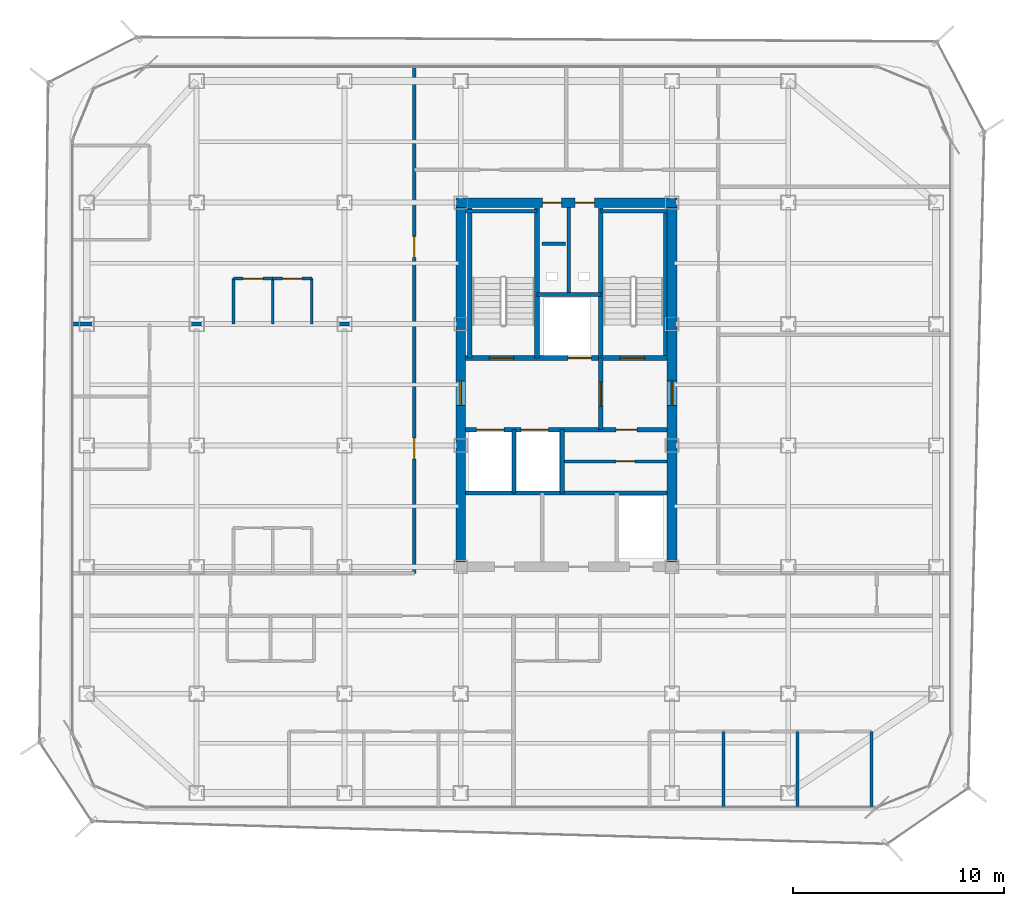
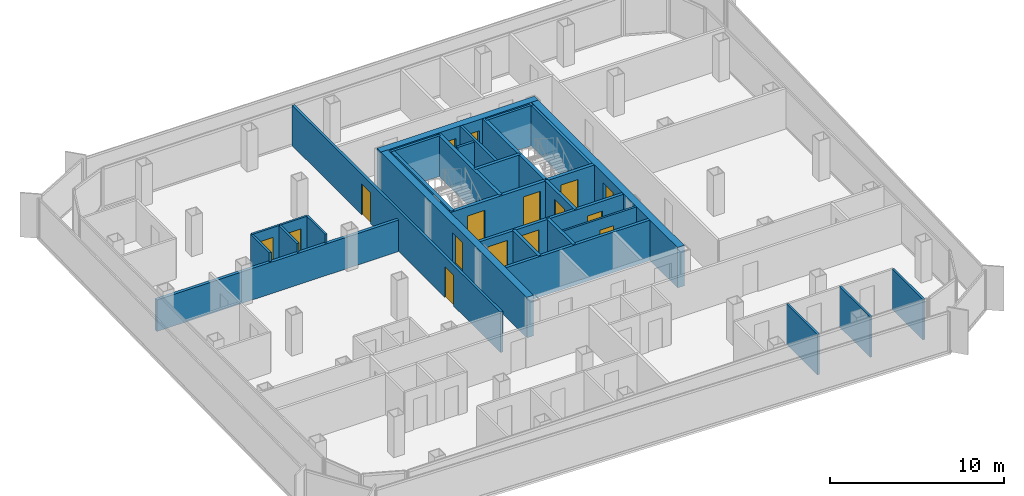
# One storey, part 11 of 15: 30 walls, 16 doors, 16 openings.
"""IFC4 building model written with IfcOpenShell, lengths in metres."""

from ifc_helpers import new_model, si_unit, direction, frame, frame_2d, origin, place, context, subcontext, project, spatial, rectangle, extrude, material, layer, layer_set, type_object, element, fill, save


model = new_model("IFC4")

# Units and contexts
model_context = context("Model", 3, precision=1e-05, world=origin(), true_north=direction((0.0, 1.0)))
body_context = subcontext(model_context, "Body", "Model", "MODEL_VIEW")
ifc_project = project(units=[si_unit("LENGTHUNIT", "METRE"), si_unit("AREAUNIT", "SQUARE_METRE"), si_unit("VOLUMEUNIT", "CUBIC_METRE"), si_unit("PLANEANGLEUNIT", "RADIAN"), si_unit("MASSUNIT", "GRAM", prefix="KILO")], contexts=[model_context])

# Site, building, storey
site_placement = place(None, origin())
site = spatial("IfcSite", under=ifc_project, at=site_placement, CompositionType="ELEMENT")
building_placement = place(site_placement, origin())
building = spatial("IfcBuilding", under=site, at=building_placement, Name="Kolveth Station Tower", CompositionType="ELEMENT")
storey_placement = place(building_placement, frame((0.0, 0.0, 184.89990234375)))
storey = spatial("IfcBuildingStorey", under=building, at=storey_placement, Name="L52", CompositionType="ELEMENT", Elevation=184.89990234375)

# Wall, openings, doors
ifc_material_1 = material(Name="Concrete C50/60", Category="concrete")
ifc_layer_1 = layer(ifc_material_1, 0.449951171875)
ifc_layer_set_1 = layer_set([ifc_layer_1], Name="Concrete C50/60")
wall_type_1 = type_object("IfcWallType", Name="Wall_CW-450", PredefinedType="SHEAR", material=ifc_layer_set_1)
wall_1_placement = place(storey_placement, frame((18.27490234375, 28.75, 0.0), z_axis=(0.0, 0.0, 1.0), x_axis=(1.0, 0.0, 0.0)))
wall_1 = element("IfcWall", 1, at=wall_1_placement, inside=storey, type_object=wall_type_1, Name="L52 Core RC Shear Wall N", PredefinedType="SHEAR", context=body_context, shape_type="SweptSolid", body=[
    extrude(rectangle(XDim=10.4501953125, YDim=0.449951171875, at=frame_2d((5.22509765625, 0.0))), origin(), (0.0, 0.0, 1.0), 2.840087890625),
])
opening_1_placement = place(wall_1_placement, frame((4.10498046875, 0.0, 0.0)))
opening_1 = element("IfcOpeningElement", 2, at=opening_1_placement, cuts=wall_1, Name="Opening RD1", PredefinedType="OPENING", context=body_context, shape_type="SweptSolid", body=[
    extrude(rectangle(XDim=0.89990234375, YDim=2.050048828125, at=frame_2d((0.449951171875, 1.02490234375))), frame((0.0, 0.23486328125, 0.0), z_axis=(0.0, -1.0, 0.0), x_axis=(1.0, 0.0, 0.0)), (0.0, 0.0, 1.0), 0.469970703125),
])
opening_2_placement = place(wall_1_placement, frame((5.64501953125, 0.0, 0.0)))
opening_2 = element("IfcOpeningElement", 3, at=opening_2_placement, cuts=wall_1, Name="Opening RD1", PredefinedType="OPENING", context=body_context, shape_type="SweptSolid", body=[
    extrude(rectangle(XDim=0.89990234375, YDim=2.050048828125, at=frame_2d((0.449951171875, 1.02490234375))), frame((0.0, 0.23486328125, 0.0), z_axis=(0.0, -1.0, 0.0), x_axis=(1.0, 0.0, 0.0)), (0.0, 0.0, 1.0), 0.469970703125),
])
ifc_material_2 = material(Name="Fire-rated Steel S355 riser access leaf", Category="steel")
door_type_1 = type_object("IfcDoorType", Name="Door_RD1", OperationType="NOTDEFINED", PredefinedType="DOOR", material=ifc_material_2)
door_1_placement = place(opening_1_placement, origin())
door_1 = element("IfcDoor", 4, at=door_1_placement, inside=storey, type_object=door_type_1, Name="L52 Electrical Riser Access Door", OperationType="SINGLE_SWING_RIGHT", OverallHeight=2.050048828125, OverallWidth=0.89990234375, PredefinedType="DOOR", context=body_context, shape_type="SweptSolid", body=[
    extrude(rectangle(XDim=0.89990234375, YDim=2.050048828125, at=frame_2d((0.449951171875, 1.02490234375))), frame((0.0, 0.02490234375, 0.0), z_axis=(0.0, -1.0, 0.0), x_axis=(1.0, 0.0, 0.0)), (0.0, 0.0, 1.0), 0.050048828125),
])
fill(opening_1, door_1)
door_2_placement = place(opening_2_placement, origin())
door_2 = element("IfcDoor", 5, at=door_2_placement, inside=storey, type_object=door_type_1, Name="L52 Smoke Duct Access Door", OperationType="SINGLE_SWING_LEFT", OverallHeight=2.050048828125, OverallWidth=0.89990234375, PredefinedType="DOOR", context=body_context, shape_type="SweptSolid", body=[
    extrude(rectangle(XDim=0.89990234375, YDim=2.050048828125, at=frame_2d((0.449951171875, 1.02490234375))), frame((0.0, 0.02490234375, 0.0), z_axis=(0.0, -1.0, 0.0), x_axis=(1.0, 0.0, 0.0)), (0.0, 0.0, 1.0), 0.050048828125),
])
fill(opening_2, door_2)

# Wall, opening, door
wall_2_placement = place(storey_placement, frame((18.5, 11.72509765625, 0.0), z_axis=(0.0, 0.0, 1.0), x_axis=(0.0, 1.0, 0.0)))
wall_2 = element("IfcWall", 6, at=wall_2_placement, inside=storey, type_object=wall_type_1, Name="L52 Core RC Shear Wall W", PredefinedType="SHEAR", context=body_context, shape_type="SweptSolid", body=[
    extrude(rectangle(XDim=16.7998046875, YDim=0.449951171875, at=frame_2d((8.39990234375, 0.0))), origin(), (0.0, 0.0, 1.0), 2.840087890625),
])
opening_3_placement = place(wall_2_placement, frame((7.425048828125, 0.0, 0.0)))
opening_3 = element("IfcOpeningElement", 7, at=opening_3_placement, cuts=wall_2, Name="Opening FD1", PredefinedType="OPENING", context=body_context, shape_type="SweptSolid", body=[
    extrude(rectangle(XDim=1.14990234375, YDim=2.199951171875, at=frame_2d((0.574951171875, 1.10009765625))), frame((0.0, 0.23486328125, 0.0), z_axis=(0.0, -1.0, 0.0), x_axis=(1.0, 0.0, 0.0)), (0.0, 0.0, 1.0), 0.469970703125),
])
ifc_material_3 = material(Name="Fire-rated Steel S355 leaf and frame", Category="steel")
door_type_2 = type_object("IfcDoorType", Name="Door_FD1", OperationType="NOTDEFINED", PredefinedType="DOOR", material=ifc_material_3)
door_3_placement = place(opening_3_placement, frame((1.14990234375, 0.0, 0.0), z_axis=(0.0, 0.0, 1.0), x_axis=(-1.0, 0.0, 0.0)))
door_3 = element("IfcDoor", 8, at=door_3_placement, inside=storey, type_object=door_type_2, Name="L52 West Corridor to Firefighting Lobby Door", OperationType="SINGLE_SWING_RIGHT", OverallHeight=2.199951171875, OverallWidth=1.14990234375, PredefinedType="DOOR", context=body_context, shape_type="SweptSolid", body=[
    extrude(rectangle(XDim=1.14990234375, YDim=2.199951171875, at=frame_2d((0.574951171875, 1.10009765625))), frame((0.0, 0.02490234375, 0.0), z_axis=(0.0, -1.0, 0.0), x_axis=(1.0, 0.0, 0.0)), (0.0, 0.0, 1.0), 0.050048828125),
])
fill(opening_3, door_3)

wall_3_placement = place(storey_placement, frame((28.5, 11.72509765625, 0.0), z_axis=(0.0, 0.0, 1.0), x_axis=(0.0, 1.0, 0.0)))
wall_3 = element("IfcWall", 9, at=wall_3_placement, inside=storey, type_object=wall_type_1, Name="L52 Core RC Shear Wall E", PredefinedType="SHEAR", context=body_context, shape_type="SweptSolid", body=[
    extrude(rectangle(XDim=16.7998046875, YDim=0.449951171875, at=frame_2d((8.39990234375, 0.0))), origin(), (0.0, 0.0, 1.0), 2.840087890625),
])
opening_4_placement = place(wall_3_placement, frame((7.425048828125, 0.0, 0.0)))
opening_4 = element("IfcOpeningElement", 10, at=opening_4_placement, cuts=wall_3, Name="Opening FD1", PredefinedType="OPENING", context=body_context, shape_type="SweptSolid", body=[
    extrude(rectangle(XDim=1.14990234375, YDim=2.199951171875, at=frame_2d((0.574951171875, 1.10009765625))), frame((0.0, 0.23486328125, 0.0), z_axis=(0.0, -1.0, 0.0), x_axis=(1.0, 0.0, 0.0)), (0.0, 0.0, 1.0), 0.469970703125),
])
door_4_placement = place(opening_4_placement, origin())
door_4 = element("IfcDoor", 11, at=door_4_placement, inside=storey, type_object=door_type_2, Name="L52 East Corridor to Stair Lobby Door", OperationType="SINGLE_SWING_LEFT", OverallHeight=2.199951171875, OverallWidth=1.14990234375, PredefinedType="DOOR", context=body_context, shape_type="SweptSolid", body=[
    extrude(rectangle(XDim=1.14990234375, YDim=2.199951171875, at=frame_2d((0.574951171875, 1.10009765625))), frame((0.0, 0.02490234375, 0.0), z_axis=(0.0, -1.0, 0.0), x_axis=(1.0, 0.0, 0.0)), (0.0, 0.0, 1.0), 0.050048828125),
])
fill(opening_4, door_4)

ifc_material_4 = material(Name="Moisture-resistant gypsum partition")
ifc_layer_2 = layer(ifc_material_4, 0.135009765625)
ifc_layer_set_2 = layer_set([ifc_layer_2], Name="Moisture-resistant gypsum partition")
wall_type_2 = type_object("IfcWallType", Name="Wall_IW-135", PredefinedType="PARTITIONING", material=ifc_layer_set_2)
wall_4_placement = place(storey_placement, frame((23.300048828125, 16.5, 0.0), z_axis=(0.0, 0.0, 1.0), x_axis=(1.0, 0.0, 0.0)))
wall_4 = element("IfcWall", 12, at=wall_4_placement, inside=storey, type_object=wall_type_2, Name="L52 Partition Wall WL-L52-CB-H1", PredefinedType="PARTITIONING", context=body_context, shape_type="SweptSolid", body=[
    extrude(rectangle(XDim=4.96484375, YDim=0.135009765625, at=frame_2d((2.482421875, 0.0))), origin(), (0.0, 0.0, 1.0), 2.840087890625),
])
opening_5_placement = place(wall_4_placement, frame((2.550048828125, 0.0, 0.0)))
opening_5 = element("IfcOpeningElement", 13, at=opening_5_placement, cuts=wall_4, Name="Opening RD1", PredefinedType="OPENING", context=body_context, shape_type="SweptSolid", body=[
    extrude(rectangle(XDim=0.89990234375, YDim=2.050048828125, at=frame_2d((0.449951171875, 1.02490234375))), frame((0.0, 0.077392578125, 0.0), z_axis=(0.0, -1.0, 0.0), x_axis=(1.0, 0.0, 0.0)), (0.0, 0.0, 1.0), 0.155029296875),
])
door_5_placement = place(opening_5_placement, frame((0.89990234375, 0.0, 0.0), z_axis=(0.0, 0.0, 1.0), x_axis=(-1.0, 0.0, 0.0)))
door_5 = element("IfcDoor", 14, at=door_5_placement, inside=storey, type_object=door_type_1, Name="L52 Core Equipment Store Door", OperationType="SINGLE_SWING_LEFT", OverallHeight=2.050048828125, OverallWidth=0.89990234375, PredefinedType="DOOR", context=body_context, shape_type="SweptSolid", body=[
    extrude(rectangle(XDim=0.89990234375, YDim=2.050048828125, at=frame_2d((0.449951171875, 1.02490234375))), frame((0.0, 0.02490234375, 0.0), z_axis=(0.0, -1.0, 0.0), x_axis=(1.0, 0.0, 0.0)), (0.0, 0.0, 1.0), 0.050048828125),
])
fill(opening_5, door_5)

# Walls
for number, where, z_axis, x_axis, name in (
    (15, (37.949951171875, 0.159912109375, 0.0), (0.0, 0.0, 1.0), (0.0, 1.0, 0.0), "L52 Partition Wall WL-L52-A2-BDVE"),
    (16, (30.944091796875, 0.159912109375, 0.0), (0.0, 0.0, 1.0), (0.0, 1.0, 0.0), "L52 Partition Wall WL-L52-A2-BDV1"),
    (17, (34.447021484375, 0.159912109375, 0.0), (0.0, 0.0, 1.0), (0.0, 1.0, 0.0), "L52 Partition Wall WL-L52-A2-BDV2"),
):
    element("IfcWall", number, at=place(storey_placement, frame(where, z_axis=z_axis, x_axis=x_axis)), inside=storey, type_object=wall_type_2, Name=name, PredefinedType="PARTITIONING", context=body_context, shape_type="SweptSolid", body=[
        extrude(rectangle(XDim=3.550048828125, YDim=0.135009765625, at=frame_2d((1.77490234375, 0.0))), origin(), (0.0, 0.0, 1.0), 2.840087890625),
    ])

# Wall, opening, door
wall_5_placement = place(storey_placement, frame((7.75, 25.14990234375, 0.0), z_axis=(0.0, 0.0, 1.0), x_axis=(1.0, 0.0, 0.0)))
wall_5 = element("IfcWall", 18, at=wall_5_placement, inside=storey, type_object=wall_type_2, Name="L52 Partition Wall WL-L52-W2-IBHK", PredefinedType="PARTITIONING", context=body_context, shape_type="SweptSolid", body=[
    extrude(rectangle(XDim=1.85009765625, YDim=0.135009765625, at=frame_2d((0.925048828125, 0.0))), origin(), (0.0, 0.0, 1.0), 2.840087890625),
])
opening_6_placement = place(wall_5_placement, frame((0.445068359375, 0.0, 0.0)))
opening_6 = element("IfcOpeningElement", 19, at=opening_6_placement, cuts=wall_5, Name="Opening ID1", PredefinedType="OPENING", context=body_context, shape_type="SweptSolid", body=[
    extrude(rectangle(XDim=0.949951171875, YDim=2.14990234375, at=frame_2d((0.47509765625, 1.074951171875))), frame((0.0, 0.077392578125, 0.0), z_axis=(0.0, -1.0, 0.0), x_axis=(1.0, 0.0, 0.0)), (0.0, 0.0, 1.0), 0.155029296875),
])
ifc_material_5 = material(Name="Acoustic hardwood leaf and aluminium frame", Category="wood")
door_type_3 = type_object("IfcDoorType", Name="Door_ID1", OperationType="NOTDEFINED", PredefinedType="DOOR", material=ifc_material_5)
door_6_placement = place(opening_6_placement, origin())
door_6 = element("IfcDoor", 20, at=door_6_placement, inside=storey, type_object=door_type_3, Name="Penthouse Flat L52-W2 Kitchen Door", OperationType="SINGLE_SWING_LEFT", OverallHeight=2.14990234375, OverallWidth=0.949951171875, PredefinedType="DOOR", context=body_context, shape_type="SweptSolid", body=[
    extrude(rectangle(XDim=0.949951171875, YDim=2.14990234375, at=frame_2d((0.47509765625, 1.074951171875))), frame((0.0, 0.02490234375, 0.0), z_axis=(0.0, -1.0, 0.0), x_axis=(1.0, 0.0, 0.0)), (0.0, 0.0, 1.0), 0.050048828125),
])
fill(opening_6, door_6)

wall_6_placement = place(storey_placement, frame((9.60009765625, 25.14990234375, 0.0), z_axis=(0.0, 0.0, 1.0), x_axis=(1.0, 0.0, 0.0)))
wall_6 = element("IfcWall", 21, at=wall_6_placement, inside=storey, type_object=wall_type_2, Name="L52 Partition Wall WL-L52-W2-IBHB", PredefinedType="PARTITIONING", context=body_context, shape_type="SweptSolid", body=[
    extrude(rectangle(XDim=1.849853515625, YDim=0.135009765625, at=frame_2d((0.9248046875, 0.0))), origin(), (0.0, 0.0, 1.0), 2.840087890625),
])
opening_7_placement = place(wall_6_placement, frame((0.465087890625, 0.0, 0.0)))
opening_7 = element("IfcOpeningElement", 22, at=opening_7_placement, cuts=wall_6, Name="Opening ID2", PredefinedType="OPENING", context=body_context, shape_type="SweptSolid", body=[
    extrude(rectangle(XDim=0.919921875, YDim=2.10009765625, at=frame_2d((0.4599609375, 1.050048828125))), frame((0.0, 0.077392578125, 0.0), z_axis=(0.0, -1.0, 0.0), x_axis=(1.0, 0.0, 0.0)), (0.0, 0.0, 1.0), 0.155029296875),
])
ifc_material_6 = material(Name="Moisture-resistant hardwood leaf", Category="wood")
door_type_4 = type_object("IfcDoorType", Name="Door_ID2", OperationType="NOTDEFINED", PredefinedType="DOOR", material=ifc_material_6)
door_7_placement = place(opening_7_placement, origin())
door_7 = element("IfcDoor", 23, at=door_7_placement, inside=storey, type_object=door_type_4, Name="Penthouse Flat L52-W2 Bathroom Door", OperationType="SINGLE_SWING_RIGHT", OverallHeight=2.10009765625, OverallWidth=0.919921875, PredefinedType="DOOR", context=body_context, shape_type="SweptSolid", body=[
    extrude(rectangle(XDim=0.919921875, YDim=2.10009765625, at=frame_2d((0.4599609375, 1.050048828125))), frame((0.0, 0.02490234375, 0.0), z_axis=(0.0, -1.0, 0.0), x_axis=(1.0, 0.0, 0.0)), (0.0, 0.0, 1.0), 0.050048828125),
])
fill(opening_7, door_7)

# Walls
for number, where, z_axis, x_axis, name in (
    (24, (7.75, 23.0, 0.0), (0.0, 0.0, 1.0), (0.0, 1.0, 0.0), "L52 Partition Wall WL-L52-W2-IBV0"),
    (25, (9.60009765625, 23.0, 0.0), (0.0, 0.0, 1.0), (0.0, 1.0, 0.0), "L52 Partition Wall WL-L52-W2-IBV1"),
    (26, (11.449951171875, 23.0, 0.0), (0.0, 0.0, 1.0), (0.0, 1.0, 0.0), "L52 Partition Wall WL-L52-W2-IBV2"),
):
    element("IfcWall", number, at=place(storey_placement, frame(where, z_axis=z_axis, x_axis=x_axis)), inside=storey, type_object=wall_type_2, Name=name, PredefinedType="PARTITIONING", context=body_context, shape_type="SweptSolid", body=[
        extrude(rectangle(XDim=2.14990234375, YDim=0.135009765625, at=frame_2d((1.074951171875, 0.0))), origin(), (0.0, 0.0, 1.0), 2.840087890625),
    ])
ifc_material_7 = material(Name="Acoustic double-stud gypsum partition")
ifc_layer_3 = layer(ifc_material_7, 0.1650390625)
ifc_layer_set_3 = layer_set([ifc_layer_3], Name="Acoustic double-stud gypsum partition")
wall_type_3 = type_object("IfcWallType", Name="Wall_IW-165", PredefinedType="PARTITIONING", material=ifc_layer_set_3)
wall_7_placement = place(storey_placement, frame((18.735107421875, 28.3349609375, 0.0), z_axis=(0.0, 0.0, 1.0), x_axis=(1.0, 0.0, 0.0)))
element("IfcWall", 27, at=wall_7_placement, inside=storey, type_object=wall_type_3, Name="L52 Stair Shaft Wall WL-L52-ST1-N", PredefinedType="PARTITIONING", context=body_context, shape_type="SweptSolid", body=[
    extrude(rectangle(XDim=3.375, YDim=0.1650390625, at=frame_2d((1.6875, 0.0))), origin(), (0.0, 0.0, 1.0), 2.840087890625),
])
wall_8_placement = place(storey_placement, frame((25.1298828125, 28.3349609375, 0.0), z_axis=(0.0, 0.0, 1.0), x_axis=(1.0, 0.0, 0.0)))
element("IfcWall", 28, at=wall_8_placement, inside=storey, type_object=wall_type_3, Name="L52 Stair Shaft Wall WL-L52-ST2-N", PredefinedType="PARTITIONING", context=body_context, shape_type="SweptSolid", body=[
    extrude(rectangle(XDim=3.135009765625, YDim=0.1650390625, at=frame_2d((1.5673828125, 0.0))), origin(), (0.0, 0.0, 1.0), 2.840087890625),
])
wall_9_placement = place(storey_placement, frame((28.1826171875, 21.389892578125, 0.0), z_axis=(0.0, 0.0, 1.0), x_axis=(0.0, 1.0, 0.0)))
element("IfcWall", 29, at=wall_9_placement, inside=storey, type_object=wall_type_3, Name="L52 Stair Shaft Wall WL-L52-ST2-E", PredefinedType="PARTITIONING", context=body_context, shape_type="SweptSolid", body=[
    extrude(rectangle(XDim=6.945068359375, YDim=0.1650390625, at=frame_2d((3.47265625, 0.0))), origin(), (0.0, 0.0, 1.0), 2.840087890625),
])
wall_10_placement = place(storey_placement, frame((23.6201171875, 24.39990234375, 0.0), z_axis=(0.0, 0.0, 1.0), x_axis=(0.0, 1.0, 0.0)))
element("IfcWall", 30, at=wall_10_placement, inside=storey, type_object=wall_type_3, Name="L52 Partition Wall WL-L52-RSR-M", PredefinedType="PARTITIONING", context=body_context, shape_type="SweptSolid", body=[
    extrude(rectangle(XDim=4.114990234375, YDim=0.1650390625, at=frame_2d((2.0576171875, 0.0))), origin(), (0.0, 0.0, 1.0), 2.840087890625),
])

# Wall, openings, doors
wall_11_placement = place(storey_placement, frame((16.300048828125, 11.199951171875, 0.0), z_axis=(0.0, 0.0, 1.0), x_axis=(0.0, 1.0, 0.0)))
wall_11 = element("IfcWall", 31, at=wall_11_placement, inside=storey, type_object=wall_type_3, Name="L52 Partition Wall WL-L52-RW", PredefinedType="PARTITIONING", context=body_context, shape_type="SweptSolid", body=[
    extrude(rectangle(XDim=23.93994140625, YDim=0.1650390625, at=frame_2d((11.969970703125, 0.0))), origin(), (0.0, 0.0, 1.0), 2.840087890625),
])
opening_8_placement = place(wall_11_placement, frame((5.39990234375, 0.0, 0.0)))
opening_8 = element("IfcOpeningElement", 32, at=opening_8_placement, cuts=wall_11, Name="Opening FD3", PredefinedType="OPENING", context=body_context, shape_type="SweptSolid", body=[
    extrude(rectangle(XDim=1.0, YDim=2.14990234375, at=frame_2d((0.5, 1.074951171875))), frame((0.0, 0.092529296875, 0.0), z_axis=(0.0, -1.0, 0.0), x_axis=(1.0, 0.0, 0.0)), (0.0, 0.0, 1.0), 0.18505859375),
])
opening_9_placement = place(wall_11_placement, frame((14.949951171875, 0.0, 0.0)))
opening_9 = element("IfcOpeningElement", 33, at=opening_9_placement, cuts=wall_11, Name="Opening FD3", PredefinedType="OPENING", context=body_context, shape_type="SweptSolid", body=[
    extrude(rectangle(XDim=1.0, YDim=2.14990234375, at=frame_2d((0.5, 1.074951171875))), frame((0.0, 0.092529296875, 0.0), z_axis=(0.0, -1.0, 0.0), x_axis=(1.0, 0.0, 0.0)), (0.0, 0.0, 1.0), 0.18505859375),
])
ifc_material_8 = material(Name="Fire-rated hardwood leaf and aluminium frame", Category="wood")
door_type_5 = type_object("IfcDoorType", Name="Door_FD3", OperationType="NOTDEFINED", PredefinedType="DOOR", material=ifc_material_8)
door_8_placement = place(opening_8_placement, origin())
door_8 = element("IfcDoor", 34, at=door_8_placement, inside=storey, type_object=door_type_5, Name="Penthouse Flat L52-W1 Entrance Door", OperationType="SINGLE_SWING_LEFT", OverallHeight=2.14990234375, OverallWidth=1.0, PredefinedType="DOOR", context=body_context, shape_type="SweptSolid", body=[
    extrude(rectangle(XDim=1.0, YDim=2.14990234375, at=frame_2d((0.5, 1.074951171875))), frame((0.0, 0.02490234375, 0.0), z_axis=(0.0, -1.0, 0.0), x_axis=(1.0, 0.0, 0.0)), (0.0, 0.0, 1.0), 0.050048828125),
])
fill(opening_8, door_8)
door_9_placement = place(opening_9_placement, origin())
door_9 = element("IfcDoor", 35, at=door_9_placement, inside=storey, type_object=door_type_5, Name="Penthouse Flat L52-W2 Entrance Door", OperationType="SINGLE_SWING_RIGHT", OverallHeight=2.14990234375, OverallWidth=1.0, PredefinedType="DOOR", context=body_context, shape_type="SweptSolid", body=[
    extrude(rectangle(XDim=1.0, YDim=2.14990234375, at=frame_2d((0.5, 1.074951171875))), frame((0.0, 0.02490234375, 0.0), z_axis=(0.0, -1.0, 0.0), x_axis=(1.0, 0.0, 0.0)), (0.0, 0.0, 1.0), 0.050048828125),
])
fill(opening_9, door_9)

# Walls
wall_12_placement = place(storey_placement, frame((22.35009765625, 26.800048828125, 0.0), z_axis=(0.0, 0.0, 1.0), x_axis=(1.0, 0.0, 0.0)))
element("IfcWall", 36, at=wall_12_placement, inside=storey, type_object=wall_type_3, Name="L52 Acoustic Riser Dry-Lining Wall", PredefinedType="PARTITIONING", context=body_context, shape_type="SweptSolid", body=[
    extrude(rectangle(XDim=1.099853515625, YDim=0.1650390625, at=frame_2d((0.5498046875, 0.0))), origin(), (0.0, 0.0, 1.0), 2.840087890625),
])
ifc_material_9 = material(Name="Acoustic fire-rated gypsum blockwork", Category="masonry")
ifc_layer_4 = layer(ifc_material_9, 0.199951171875)
ifc_layer_set_4 = layer_set([ifc_layer_4], Name="Acoustic fire-rated gypsum blockwork")
wall_type_4 = type_object("IfcWallType", Name="Wall_IW-200", PredefinedType="PARTITIONING", material=ifc_layer_set_4)
wall_13_placement = place(storey_placement, frame((22.110107421875, 24.39990234375, 0.0), z_axis=(0.0, 0.0, 1.0), x_axis=(1.0, 0.0, 0.0)))
element("IfcWall", 37, at=wall_13_placement, inside=storey, type_object=wall_type_4, Name="L52 Partition Wall WL-L52-RSR-S", PredefinedType="PARTITIONING", context=body_context, shape_type="SweptSolid", body=[
    extrude(rectangle(XDim=3.019775390625, YDim=0.199951171875, at=frame_2d((1.509765625, 0.0))), origin(), (0.0, 0.0, 1.0), 2.840087890625),
])

# Wall, opening, door
wall_14_placement = place(storey_placement, frame((25.1298828125, 18.0, 0.0), z_axis=(0.0, 0.0, 1.0), x_axis=(0.0, 1.0, 0.0)))
wall_14 = element("IfcWall", 38, at=wall_14_placement, inside=storey, type_object=wall_type_4, Name="L52 Partition Wall WL-L52-FFL-E", PredefinedType="PARTITIONING", context=body_context, shape_type="SweptSolid", body=[
    extrude(rectangle(XDim=3.389892578125, YDim=0.199951171875, at=frame_2d((1.69482421875, 0.0))), origin(), (0.0, 0.0, 1.0), 2.840087890625),
])
opening_10_placement = place(wall_14_placement, frame((1.10009765625, 0.0, 0.0)))
opening_10 = element("IfcOpeningElement", 39, at=opening_10_placement, cuts=wall_14, Name="Opening FD1", PredefinedType="OPENING", context=body_context, shape_type="SweptSolid", body=[
    extrude(rectangle(XDim=1.14990234375, YDim=2.199951171875, at=frame_2d((0.574951171875, 1.10009765625))), frame((0.0, 0.10986328125, 0.0), z_axis=(0.0, -1.0, 0.0), x_axis=(1.0, 0.0, 0.0)), (0.0, 0.0, 1.0), 0.219970703125),
])
door_10_placement = place(opening_10_placement, origin())
door_10 = element("IfcDoor", 40, at=door_10_placement, inside=storey, type_object=door_type_2, Name="L52 Firefighting to Stair Lobby Door", OperationType="SINGLE_SWING_LEFT", OverallHeight=2.199951171875, OverallWidth=1.14990234375, PredefinedType="DOOR", context=body_context, shape_type="SweptSolid", body=[
    extrude(rectangle(XDim=1.14990234375, YDim=2.199951171875, at=frame_2d((0.574951171875, 1.10009765625))), frame((0.0, 0.02490234375, 0.0), z_axis=(0.0, -1.0, 0.0), x_axis=(1.0, 0.0, 0.0)), (0.0, 0.0, 1.0), 0.050048828125),
])
fill(opening_10, door_10)

# Wall, openings, doors
wall_15_placement = place(storey_placement, frame((18.735107421875, 18.0, 0.0), z_axis=(0.0, 0.0, 1.0), x_axis=(1.0, 0.0, 0.0)))
wall_15 = element("IfcWall", 41, at=wall_15_placement, inside=storey, type_object=wall_type_4, Name="L52 Partition Wall WL-L52-FFL-S", PredefinedType="PARTITIONING", context=body_context, shape_type="SweptSolid", body=[
    extrude(rectangle(XDim=9.52978515625, YDim=0.199951171875, at=frame_2d((4.764892578125, 0.0))), origin(), (0.0, 0.0, 1.0), 2.840087890625),
])
opening_11_placement = place(wall_15_placement, frame((0.514892578125, 0.0, 0.0)))
opening_11 = element("IfcOpeningElement", 42, at=opening_11_placement, cuts=wall_15, Name="Opening LD2", PredefinedType="OPENING", context=body_context, shape_type="SweptSolid", body=[
    extrude(rectangle(XDim=1.300048828125, YDim=2.300048828125, at=frame_2d((0.64990234375, 1.14990234375))), frame((0.0, 0.10986328125, 0.0), z_axis=(0.0, -1.0, 0.0), x_axis=(1.0, 0.0, 0.0)), (0.0, 0.0, 1.0), 0.219970703125),
])
opening_12_placement = place(wall_15_placement, frame((2.614990234375, 0.0, 0.0)))
opening_12 = element("IfcOpeningElement", 43, at=opening_12_placement, cuts=wall_15, Name="Opening LD2", PredefinedType="OPENING", context=body_context, shape_type="SweptSolid", body=[
    extrude(rectangle(XDim=1.300048828125, YDim=2.300048828125, at=frame_2d((0.64990234375, 1.14990234375))), frame((0.0, 0.10986328125, 0.0), z_axis=(0.0, -1.0, 0.0), x_axis=(1.0, 0.0, 0.0)), (0.0, 0.0, 1.0), 0.219970703125),
])
opening_13_placement = place(wall_15_placement, frame((7.114990234375, 0.0, 0.0)))
opening_13 = element("IfcOpeningElement", 44, at=opening_13_placement, cuts=wall_15, Name="Opening FD3", PredefinedType="OPENING", context=body_context, shape_type="SweptSolid", body=[
    extrude(rectangle(XDim=1.0, YDim=2.14990234375, at=frame_2d((0.5, 1.074951171875))), frame((0.0, 0.10986328125, 0.0), z_axis=(0.0, -1.0, 0.0), x_axis=(1.0, 0.0, 0.0)), (0.0, 0.0, 1.0), 0.219970703125),
])
door_11_placement = place(opening_13_placement, frame((1.0, 0.0, 0.0), z_axis=(0.0, 0.0, 1.0), x_axis=(-1.0, 0.0, 0.0)))
door_11 = element("IfcDoor", 45, at=door_11_placement, inside=storey, type_object=door_type_5, Name="L52 Core Linen and Supply Store Door", OperationType="SINGLE_SWING_RIGHT", OverallHeight=2.14990234375, OverallWidth=1.0, PredefinedType="DOOR", context=body_context, shape_type="SweptSolid", body=[
    extrude(rectangle(XDim=1.0, YDim=2.14990234375, at=frame_2d((0.5, 1.074951171875))), frame((0.0, 0.02490234375, 0.0), z_axis=(0.0, -1.0, 0.0), x_axis=(1.0, 0.0, 0.0)), (0.0, 0.0, 1.0), 0.050048828125),
])
fill(opening_13, door_11)
ifc_material_10 = material(Name="Firefighting stainless steel sliding landing doors", Category="steel")
door_type_6 = type_object("IfcDoorType", Name="Door_LD2", OperationType="NOTDEFINED", PredefinedType="DOOR", material=ifc_material_10)
door_12_placement = place(opening_11_placement, origin())
door_12 = element("IfcDoor", 46, at=door_12_placement, inside=storey, type_object=door_type_6, Name="L52 Firefighting Lift FF1 Landing Door", OperationType="DOUBLE_DOOR_SLIDING", OverallHeight=2.300048828125, OverallWidth=1.300048828125, PredefinedType="DOOR", context=body_context, shape_type="SweptSolid", body=[
    extrude(rectangle(XDim=1.300048828125, YDim=2.300048828125, at=frame_2d((0.64990234375, 1.14990234375))), frame((0.0, 0.02490234375, 0.0), z_axis=(0.0, -1.0, 0.0), x_axis=(1.0, 0.0, 0.0)), (0.0, 0.0, 1.0), 0.050048828125),
])
fill(opening_11, door_12)
door_13_placement = place(opening_12_placement, origin())
door_13 = element("IfcDoor", 47, at=door_13_placement, inside=storey, type_object=door_type_6, Name="L52 Firefighting Lift FF2 Landing Door", OperationType="DOUBLE_DOOR_SLIDING", OverallHeight=2.300048828125, OverallWidth=1.300048828125, PredefinedType="DOOR", context=body_context, shape_type="SweptSolid", body=[
    extrude(rectangle(XDim=1.300048828125, YDim=2.300048828125, at=frame_2d((0.64990234375, 1.14990234375))), frame((0.0, 0.02490234375, 0.0), z_axis=(0.0, -1.0, 0.0), x_axis=(1.0, 0.0, 0.0)), (0.0, 0.0, 1.0), 0.050048828125),
])
fill(opening_12, door_13)

# Walls
for number, where, z_axis, x_axis, name in (
    (48, (21.02001953125, 15.0, 0.0), (0.0, 0.0, 1.0), (0.0, 1.0, 0.0), "L52 Partition Wall WL-L52-FF12"),
    (49, (23.300048828125, 15.0, 0.0), (0.0, 0.0, 1.0), (0.0, 1.0, 0.0), "L52 Partition Wall WL-L52-FF2E"),
):
    element("IfcWall", number, at=place(storey_placement, frame(where, z_axis=z_axis, x_axis=x_axis)), inside=storey, type_object=wall_type_4, Name=name, PredefinedType="PARTITIONING", context=body_context, shape_type="SweptSolid", body=[
        extrude(rectangle(XDim=3.0, YDim=0.199951171875, at=frame_2d((1.5, 0.0))), origin(), (0.0, 0.0, 1.0), 2.840087890625),
    ])
wall_16_placement = place(storey_placement, frame((18.735107421875, 15.0, 0.0), z_axis=(0.0, 0.0, 1.0), x_axis=(1.0, 0.0, 0.0)))
element("IfcWall", 50, at=wall_16_placement, inside=storey, type_object=wall_type_4, Name="L52 Partition Wall WL-L52-BOH-S", PredefinedType="PARTITIONING", context=body_context, shape_type="SweptSolid", body=[
    extrude(rectangle(XDim=9.52978515625, YDim=0.199951171875, at=frame_2d((4.764892578125, 0.0))), origin(), (0.0, 0.0, 1.0), 2.840087890625),
])
wall_17_placement = place(storey_placement, frame((0.159912109375, 23.0, 0.0), z_axis=(0.0, 0.0, 1.0), x_axis=(1.0, 0.0, 0.0)))
element("IfcWall", 51, at=wall_17_placement, inside=storey, type_object=wall_type_4, Name="L52 Partition Wall WL-L52-RWU-1", PredefinedType="PARTITIONING", context=body_context, shape_type="SweptSolid", body=[
    extrude(rectangle(XDim=16.14013671875, YDim=0.199951171875, at=frame_2d((8.070068359375, 0.0))), origin(), (0.0, 0.0, 1.0), 2.213134765625),
])
ifc_material_11 = material(Name="Concrete C40/50", Category="concrete")
ifc_layer_5 = layer(ifc_material_11, 0.219970703125)
ifc_layer_set_5 = layer_set([ifc_layer_5], Name="Concrete C40/50")
wall_type_5 = type_object("IfcWallType", Name="Wall_IW-220", PredefinedType="SOLIDWALL", material=ifc_layer_set_5)
for number, where, z_axis, x_axis, name in (
    (52, (18.929931640625, 21.389892578125, 0.0), (0.0, 0.0, 1.0), (0.0, 1.0, 0.0), "L52 Stair Shaft Wall WL-L52-ST1-W"),
    (53, (22.110107421875, 21.389892578125, 0.0), (0.0, 0.0, 1.0), (0.0, 1.0, 0.0), "L52 Stair Shaft Wall WL-L52-ST1-E"),
    (54, (25.1298828125, 21.389892578125, 0.0), (0.0, 0.0, 1.0), (0.0, 1.0, 0.0), "L52 Stair Shaft Wall WL-L52-ST2-W"),
):
    element("IfcWall", number, at=place(storey_placement, frame(where, z_axis=z_axis, x_axis=x_axis)), inside=storey, type_object=wall_type_5, Name=name, PredefinedType="SOLIDWALL", context=body_context, shape_type="SweptSolid", body=[
        extrude(rectangle(XDim=7.110107421875, YDim=0.219970703125, at=frame_2d((3.55517578125, 0.0))), origin(), (0.0, 0.0, 1.0), 2.840087890625),
    ])

# Wall, openings, doors
wall_18_placement = place(storey_placement, frame((18.735107421875, 21.389892578125, 0.0), z_axis=(0.0, 0.0, 1.0), x_axis=(1.0, 0.0, 0.0)))
wall_18 = element("IfcWall", 55, at=wall_18_placement, inside=storey, type_object=wall_type_5, Name="L52 Stair Shaft Wall WL-L52-ST1-S", PredefinedType="SOLIDWALL", context=body_context, shape_type="SweptSolid", body=[
    extrude(rectangle(XDim=6.394775390625, YDim=0.219970703125, at=frame_2d((3.197265625, 0.0))), origin(), (0.0, 0.0, 1.0), 2.840087890625),
])
opening_14_placement = place(wall_18_placement, frame((1.114990234375, 0.0, 0.0)))
opening_14 = element("IfcOpeningElement", 56, at=opening_14_placement, cuts=wall_18, Name="Opening FD1", PredefinedType="OPENING", context=body_context, shape_type="SweptSolid", body=[
    extrude(rectangle(XDim=1.14990234375, YDim=2.199951171875, at=frame_2d((0.574951171875, 1.10009765625))), frame((0.0, 0.119873046875, 0.0), z_axis=(0.0, -1.0, 0.0), x_axis=(1.0, 0.0, 0.0)), (0.0, 0.0, 1.0), 0.239990234375),
])
opening_15_placement = place(wall_18_placement, frame((4.844970703125, 0.0, 0.0)))
opening_15 = element("IfcOpeningElement", 57, at=opening_15_placement, cuts=wall_18, Name="Opening LD1", PredefinedType="OPENING", context=body_context, shape_type="SweptSolid", body=[
    extrude(rectangle(XDim=1.10009765625, YDim=2.25, at=frame_2d((0.550048828125, 1.125))), frame((0.0, 0.119873046875, 0.0), z_axis=(0.0, -1.0, 0.0), x_axis=(1.0, 0.0, 0.0)), (0.0, 0.0, 1.0), 0.239990234375),
])
door_14_placement = place(opening_14_placement, frame((1.14990234375, 0.0, 0.0), z_axis=(0.0, 0.0, 1.0), x_axis=(-1.0, 0.0, 0.0)))
door_14 = element("IfcDoor", 58, at=door_14_placement, inside=storey, type_object=door_type_2, Name="L52 Stair ST1 Fire Door", OperationType="SINGLE_SWING_LEFT", OverallHeight=2.199951171875, OverallWidth=1.14990234375, PredefinedType="DOOR", context=body_context, shape_type="SweptSolid", body=[
    extrude(rectangle(XDim=1.14990234375, YDim=2.199951171875, at=frame_2d((0.574951171875, 1.10009765625))), frame((0.0, 0.02490234375, 0.0), z_axis=(0.0, -1.0, 0.0), x_axis=(1.0, 0.0, 0.0)), (0.0, 0.0, 1.0), 0.050048828125),
])
fill(opening_14, door_14)
ifc_material_12 = material(Name="Brushed stainless steel sliding landing doors", Category="steel")
door_type_7 = type_object("IfcDoorType", Name="Door_LD1", OperationType="NOTDEFINED", PredefinedType="DOOR", material=ifc_material_12)
door_15_placement = place(opening_15_placement, frame((1.10009765625, 0.0, 0.0), z_axis=(0.0, 0.0, 1.0), x_axis=(-1.0, 0.0, 0.0)))
door_15 = element("IfcDoor", 59, at=door_15_placement, inside=storey, type_object=door_type_7, Name="L52 Service Lift SV1 Landing Door", OperationType="DOUBLE_DOOR_SLIDING", OverallHeight=2.25, OverallWidth=1.10009765625, PredefinedType="DOOR", context=body_context, shape_type="SweptSolid", body=[
    extrude(rectangle(XDim=1.10009765625, YDim=2.25, at=frame_2d((0.550048828125, 1.125))), frame((0.0, 0.02490234375, 0.0), z_axis=(0.0, -1.0, 0.0), x_axis=(1.0, 0.0, 0.0)), (0.0, 0.0, 1.0), 0.050048828125),
])
fill(opening_15, door_15)

# Wall, opening, door
wall_19_placement = place(storey_placement, frame((25.1298828125, 21.389892578125, 0.0), z_axis=(0.0, 0.0, 1.0), x_axis=(1.0, 0.0, 0.0)))
wall_19 = element("IfcWall", 60, at=wall_19_placement, inside=storey, type_object=wall_type_5, Name="L52 Stair Shaft Wall WL-L52-ST2-S", PredefinedType="SOLIDWALL", context=body_context, shape_type="SweptSolid", body=[
    extrude(rectangle(XDim=3.135009765625, YDim=0.219970703125, at=frame_2d((1.5673828125, 0.0))), origin(), (0.0, 0.0, 1.0), 2.840087890625),
])
opening_16_placement = place(wall_19_placement, frame((0.919921875, 0.0, 0.0)))
opening_16 = element("IfcOpeningElement", 61, at=opening_16_placement, cuts=wall_19, Name="Opening FD1", PredefinedType="OPENING", context=body_context, shape_type="SweptSolid", body=[
    extrude(rectangle(XDim=1.14990234375, YDim=2.199951171875, at=frame_2d((0.574951171875, 1.10009765625))), frame((0.0, 0.119873046875, 0.0), z_axis=(0.0, -1.0, 0.0), x_axis=(1.0, 0.0, 0.0)), (0.0, 0.0, 1.0), 0.239990234375),
])
door_16_placement = place(opening_16_placement, frame((1.14990234375, 0.0, 0.0), z_axis=(0.0, 0.0, 1.0), x_axis=(-1.0, 0.0, 0.0)))
door_16 = element("IfcDoor", 62, at=door_16_placement, inside=storey, type_object=door_type_2, Name="L52 Stair ST2 Fire Door", OperationType="SINGLE_SWING_RIGHT", OverallHeight=2.199951171875, OverallWidth=1.14990234375, PredefinedType="DOOR", context=body_context, shape_type="SweptSolid", body=[
    extrude(rectangle(XDim=1.14990234375, YDim=2.199951171875, at=frame_2d((0.574951171875, 1.10009765625))), frame((0.0, 0.02490234375, 0.0), z_axis=(0.0, -1.0, 0.0), x_axis=(1.0, 0.0, 0.0)), (0.0, 0.0, 1.0), 0.050048828125),
])
fill(opening_16, door_16)

save(model, "model.ifc")
